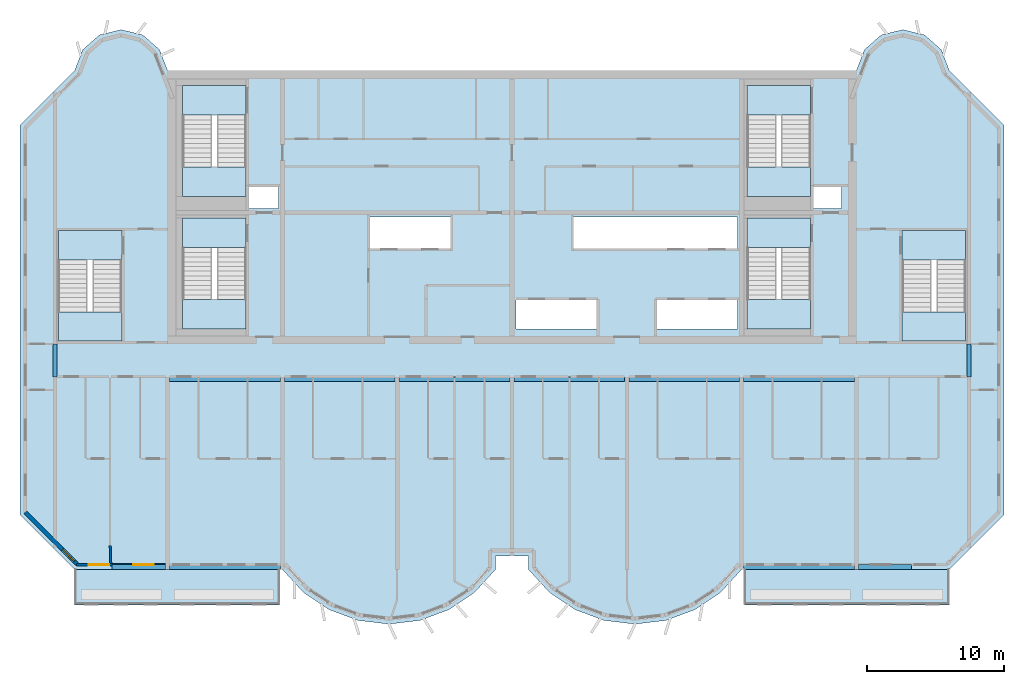
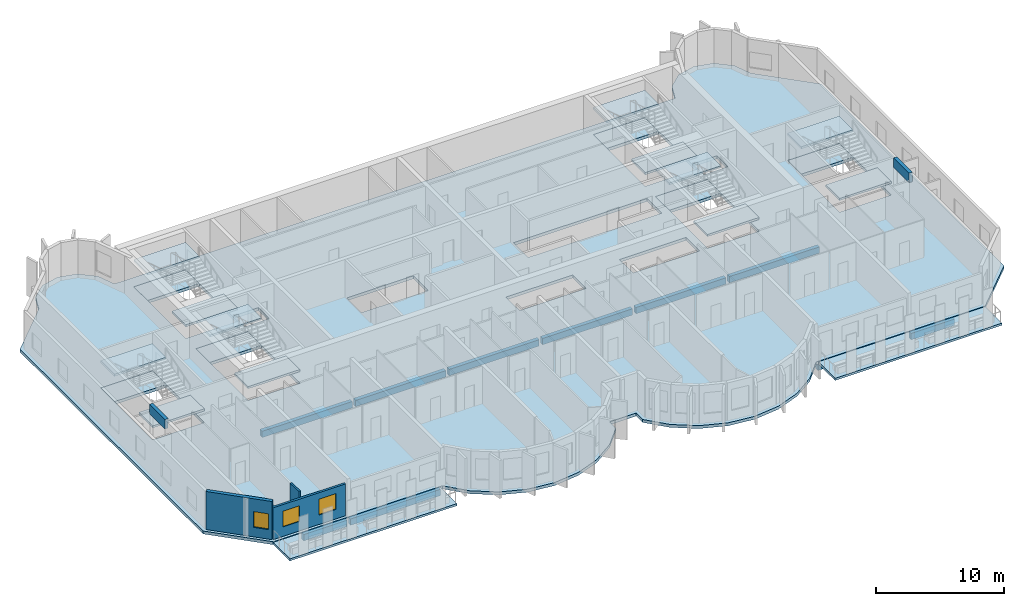
# One storey, part 1 of 11: 21 slabs, 12 beams, 3 walls, 3 windows, 3 openings, 6 elements without a shape of their own.
"""IFC4 building model written with IfcOpenShell, lengths in metres."""

from ifc_helpers import new_model, si_unit, direction, frame, frame_2d, origin, origin_2d, place, context, subcontext, project, spatial, polyline, rectangle, outline, extrude, source, transform, mapped, material, layer, layer_set, material_profile, profile_set, type_object, element, fill, aggregate, save


model = new_model("IFC4")

# Units and contexts
model_context = context("Model", 3, precision=1e-05, world=origin(), true_north=direction((0.0, 1.0)))
body_context = subcontext(model_context, "Body", "Model", "MODEL_VIEW")
ifc_project = project(units=[si_unit("LENGTHUNIT", "METRE"), si_unit("AREAUNIT", "SQUARE_METRE"), si_unit("VOLUMEUNIT", "CUBIC_METRE"), si_unit("PLANEANGLEUNIT", "RADIAN"), si_unit("MASSUNIT", "GRAM", prefix="KILO")], contexts=[model_context])

# Site, building, storey
site_placement = place(None, origin())
site = spatial("IfcSite", under=ifc_project, at=site_placement, CompositionType="ELEMENT")
building_placement = place(site_placement, origin())
building = spatial("IfcBuilding", under=site, at=building_placement, Name="Vanashikhar Sky Hotel", CompositionType="ELEMENT")
storey_placement = place(building_placement, frame((0.0, 0.0, 256.89990234375)))
storey = spatial("IfcBuildingStorey", under=building, at=storey_placement, Name="L62", CompositionType="ELEMENT", Elevation=256.89990234375)

# Beams
ifc_material_1 = material(Name="Concrete M50", Category="concrete")
ifc_material_profile_1 = material_profile(ifc_material_1, rectangle(XDim=0.300048828125, YDim=0.89990234375, at=origin_2d()))
ifc_profile_set_1 = profile_set([ifc_material_profile_1], Name="RC 300x900 beam Concrete M50")
beam_type_1 = type_object("IfcBeamType", Name="RC 300x900 beam Concrete M50", PredefinedType="LINTEL", material=ifc_profile_set_1)
shared_shape_1 = source(origin(), body_context, "Body", "SweptSolid", [
    extrude(rectangle(XDim=0.300048828125, YDim=0.89990234375, at=origin_2d()), origin(), (0.0, 0.0, 1.0), 2.39990234375),
])
for number, where, z_axis, x_axis, name in (
    (1, (16.949951171875, 19.60009765625, 3.170166015625), (0.0, 1.0, 0.0), (-1.0, 0.0, 0.0), "LB-L62-XW03"),
    (2, (83.85009765625, 19.60009765625, 3.170166015625), (0.0, 1.0, 0.0), (-1.0, 0.0, 0.0), "LB-L62-XW11"),
):
    element("IfcBeam", number, at=place(storey_placement, frame(where, z_axis=z_axis, x_axis=x_axis)), inside=storey, type_object=beam_type_1, Name=name, PredefinedType="LINTEL", context=body_context, shape_type="MappedRepresentation", body=[
        mapped(shared_shape_1, transform((0.0, 0.0, 0.0), scale=1.0)),
    ])
ifc_material_profile_2 = material_profile(ifc_material_1, rectangle(XDim=0.35009765625, YDim=0.60009765625, at=origin_2d()))
ifc_profile_set_2 = profile_set([ifc_material_profile_2], Name="RC 350x600 beam Concrete M50")
beam_type_2 = type_object("IfcBeamType", Name="RC 350x600 beam Concrete M50", PredefinedType="SPANDREL", material=ifc_profile_set_2)
shared_shape_2 = source(origin(), body_context, "Body", "SweptSolid", [
    extrude(rectangle(XDim=0.35009765625, YDim=0.60009765625, at=origin_2d()), origin(), (0.0, 0.0, 1.0), 8.099853515625),
])
for number, where, z_axis, x_axis, name in (
    (3, (25.35009765625, 5.675048828125, -0.579833984375), (1.0, 0.0, 0.0), (0.0, 1.0, 0.0), "EB-L62-F01"),
    (4, (67.35009765625, 5.675048828125, -0.579833984375), (1.0, 0.0, 0.0), (0.0, 1.0, 0.0), "EB-L62-F03"),
    (5, (25.35009765625, 19.425048828125, -0.579833984375), (1.0, 0.0, 0.0), (0.0, 1.0, 0.0), "CB-L62-01"),
    (6, (50.550048828125, 19.425048828125, -0.579833984375), (1.0, 0.0, 0.0), (0.0, 1.0, 0.0), "CB-L62-04"),
    (7, (67.35009765625, 19.425048828125, -0.579833984375), (1.0, 0.0, 0.0), (0.0, 1.0, 0.0), "CB-L62-06"),
):
    element("IfcBeam", number, at=place(storey_placement, frame(where, z_axis=z_axis, x_axis=x_axis)), inside=storey, type_object=beam_type_2, Name=name, PredefinedType="SPANDREL", context=body_context, shape_type="MappedRepresentation", body=[
        mapped(shared_shape_2, transform((0.0, 0.0, 0.0), scale=1.0)),
    ])
ifc_material_profile_3 = material_profile(ifc_material_1, rectangle(XDim=0.35009765625, YDim=0.60009765625, at=origin_2d()))
ifc_profile_set_3 = profile_set([ifc_material_profile_3], Name="RC 350x600 cantilever beam Concrete M50")
beam_type_3 = type_object("IfcBeamType", Name="RC 350x600 cantilever beam Concrete M50", PredefinedType="SPANDREL", material=ifc_profile_set_3)
shared_shape_3 = source(origin(), body_context, "Body", "SweptSolid", [
    extrude(rectangle(XDim=0.35009765625, YDim=0.60009765625, at=origin_2d()), origin(), (0.0, 0.0, 1.0), 3.900146484375),
])
beam_1_placement = place(storey_placement, frame((21.14990234375, 5.675048828125, -0.579833984375), z_axis=(1.0, 0.0, 0.0), x_axis=(0.0, 1.0, 0.0)))
element("IfcBeam", 8, at=beam_1_placement, inside=storey, type_object=beam_type_3, Name="EB-L62-F02", PredefinedType="SPANDREL", context=body_context, shape_type="MappedRepresentation", body=[
    mapped(shared_shape_3, transform((0.0, 0.0, 0.0), scale=1.0)),
])
shared_shape_4 = source(origin(), body_context, "Body", "SweptSolid", [
    extrude(rectangle(XDim=0.35009765625, YDim=0.60009765625, at=origin_2d()), origin(), (0.0, 0.0, 1.0), 3.89990234375),
])
beam_2_placement = place(storey_placement, frame((75.75, 5.675048828125, -0.579833984375), z_axis=(1.0, 0.0, 0.0), x_axis=(0.0, 1.0, 0.0)))
element("IfcBeam", 9, at=beam_2_placement, inside=storey, type_object=beam_type_3, Name="EB-L62-F04", PredefinedType="SPANDREL", context=body_context, shape_type="MappedRepresentation", body=[
    mapped(shared_shape_4, transform((0.0, 0.0, 0.0), scale=1.0)),
])
shared_shape_5 = source(origin(), body_context, "Body", "SweptSolid", [
    extrude(rectangle(XDim=0.35009765625, YDim=0.60009765625, at=origin_2d()), origin(), (0.0, 0.0, 1.0), 8.10009765625),
])
for number, where, z_axis, x_axis, name in (
    (10, (33.75, 19.425048828125, -0.579833984375), (1.0, 0.0, 0.0), (0.0, 1.0, 0.0), "CB-L62-02"),
    (11, (42.14990234375, 19.425048828125, -0.579833984375), (1.0, 0.0, 0.0), (0.0, 1.0, 0.0), "CB-L62-03"),
    (12, (58.949951171875, 19.425048828125, -0.579833984375), (1.0, 0.0, 0.0), (0.0, 1.0, 0.0), "CB-L62-05"),
):
    element("IfcBeam", number, at=place(storey_placement, frame(where, z_axis=z_axis, x_axis=x_axis)), inside=storey, type_object=beam_type_2, Name=name, PredefinedType="SPANDREL", context=body_context, shape_type="MappedRepresentation", body=[
        mapped(shared_shape_5, transform((0.0, 0.0, 0.0), scale=1.0)),
    ])

# Slabs
ifc_material_2 = material(Name="Concrete M40", Category="concrete")
ifc_layer_1 = layer(ifc_material_2, 0.280029296875)
ifc_layer_set_1 = layer_set([ifc_layer_1], Name="Floor slab 280 mm")
slab_type_1 = type_object("IfcSlabType", Name="Floor slab 280 mm", PredefinedType="FLOOR", material=ifc_layer_set_1)
shared_shape_6 = source(origin(), body_context, "Body", "SweptSolid", [
    extrude(outline(polyline([(49.199951171875, 5.5), (49.199951171875, 6.5), (51.60009765625, 6.5), (51.60009765625, 5.5), (53.133056640625, 3.825927734375), (55.01708984375, 2.55810546875), (57.14599609375, 1.76806640625), (59.39990234375, 1.5), (61.654052734375, 1.76806640625), (63.782958984375, 2.55810546875), (65.6669921875, 3.825927734375), (67.199951171875, 5.5), (82.39990234375, 5.5), (86.39990234375, 9.5), (86.39990234375, 38.0), (82.39990234375, 42.0), (81.81494140625, 43.527099609375), (80.587890625, 44.610107421875), (79.0, 45.0), (77.412109375, 44.610107421875), (76.18505859375, 43.527099609375), (75.60009765625, 42.0), (25.199951171875, 42.0), (24.614990234375, 43.527099609375), (23.387939453125, 44.610107421875), (21.800048828125, 45.0), (20.2119140625, 44.610107421875), (18.985107421875, 43.527099609375), (18.39990234375, 42.0), (14.39990234375, 38.0), (14.39990234375, 9.5), (18.39990234375, 5.5), (33.60009765625, 5.5), (35.133056640625, 3.825927734375), (37.01708984375, 2.55810546875), (39.14599609375, 1.76806640625), (41.39990234375, 1.5), (43.654052734375, 1.76806640625), (45.782958984375, 2.55810546875), (47.6669921875, 3.825927734375), (49.199951171875, 5.5)]), holes=[polyline([(33.300048828125, 33.60009765625), (31.050048828125, 33.60009765625), (31.050048828125, 31.89990234375), (33.300048828125, 31.89990234375), (33.300048828125, 33.60009765625)]), polyline([(39.89990234375, 31.300048828125), (39.89990234375, 29.0), (45.89990234375, 29.0), (45.89990234375, 31.300048828125), (39.89990234375, 31.300048828125)]), polyline([(50.699951171875, 25.199951171875), (50.699951171875, 23.10009765625), (56.699951171875, 23.10009765625), (56.699951171875, 25.199951171875), (50.699951171875, 25.199951171875)]), polyline([(66.89990234375, 29.0), (66.89990234375, 31.300048828125), (54.89990234375, 31.300048828125), (54.89990234375, 29.0), (66.89990234375, 29.0)]), polyline([(60.89990234375, 25.199951171875), (60.89990234375, 23.10009765625), (66.89990234375, 23.10009765625), (66.89990234375, 25.199951171875), (60.89990234375, 25.199951171875)]), polyline([(74.5, 33.60009765625), (72.35009765625, 33.60009765625), (72.35009765625, 31.89990234375), (74.5, 31.89990234375), (74.5, 33.60009765625)]), polyline([(30.949951171875, 23.10009765625), (30.949951171875, 31.199951171875), (26.300048828125, 31.199951171875), (26.300048828125, 23.10009765625), (30.949951171875, 23.10009765625)]), polyline([(72.25, 23.10009765625), (72.25, 31.199951171875), (67.60009765625, 31.199951171875), (67.60009765625, 23.10009765625), (72.25, 23.10009765625)]), polyline([(30.949951171875, 32.800048828125), (30.949951171875, 40.89990234375), (26.300048828125, 40.89990234375), (26.300048828125, 32.800048828125), (30.949951171875, 32.800048828125)]), polyline([(72.25, 32.800048828125), (72.25, 40.89990234375), (67.60009765625, 40.89990234375), (67.60009765625, 32.800048828125), (72.25, 32.800048828125)]), polyline([(83.60009765625, 22.199951171875), (83.60009765625, 30.300048828125), (78.949951171875, 30.300048828125), (78.949951171875, 22.199951171875), (83.60009765625, 22.199951171875)]), polyline([(21.85009765625, 22.199951171875), (21.85009765625, 30.300048828125), (17.199951171875, 30.300048828125), (17.199951171875, 22.199951171875), (21.85009765625, 22.199951171875)])]), origin(), (0.0, 0.0, 1.0), 0.27978515625),
])
slab_1_placement = place(storey_placement, frame((0.0, 0.0, -0.27978515625)))
element("IfcSlab", 13, at=slab_1_placement, inside=storey, type_object=slab_type_1, Name="Floor slab L62", PredefinedType="FLOOR", context=body_context, shape_type="MappedRepresentation", body=[
    mapped(shared_shape_6, transform((0.0, 0.0, 0.0), scale=1.0)),
])
ifc_layer_2 = layer(ifc_material_2, 0.199951171875)
ifc_layer_set_2 = layer_set([ifc_layer_2], Name="Balcony slab 200 mm")
slab_type_2 = type_object("IfcSlabType", Name="Balcony slab 200 mm", PredefinedType="USERDEFINED", material=ifc_layer_set_2)
shared_shape_7 = source(origin(), body_context, "Body", "SweptSolid", [
    extrude(outline(polyline([(18.39990234375, 2.89990234375), (33.39990234375, 2.89990234375), (33.39990234375, 5.5), (18.39990234375, 5.5), (18.39990234375, 2.89990234375)])), origin(), (0.0, 0.0, 1.0), 0.2001953125),
])
slab_2_placement = place(storey_placement, frame((0.0, 0.0, -0.25)))
element("IfcSlab", 14, at=slab_2_placement, inside=storey, type_object=slab_type_2, Name="Balcony slab L62 1", ObjectType="BALCONY", PredefinedType="USERDEFINED", context=body_context, shape_type="MappedRepresentation", body=[
    mapped(shared_shape_7, transform((0.0, 0.0, 0.0), scale=1.0)),
])
shared_shape_8 = source(origin(), body_context, "Body", "SweptSolid", [
    extrude(outline(polyline([(67.39990234375, 2.89990234375), (82.39990234375, 2.89990234375), (82.39990234375, 5.5), (67.39990234375, 5.5), (67.39990234375, 2.89990234375)])), origin(), (0.0, 0.0, 1.0), 0.2001953125),
])
slab_3_placement = place(storey_placement, frame((0.0, 0.0, -0.25)))
element("IfcSlab", 15, at=slab_3_placement, inside=storey, type_object=slab_type_2, Name="Balcony slab L62 2", ObjectType="BALCONY", PredefinedType="USERDEFINED", context=body_context, shape_type="MappedRepresentation", body=[
    mapped(shared_shape_8, transform((0.0, 0.0, 0.0), scale=1.0)),
])

# Stair, slabs
stair_type = type_object("IfcStairType", Name="Exit stair 2150", PredefinedType="DOUBLE_RETURN_STAIR", material=ifc_material_2)
stair_1_placement = place(storey_placement, origin())
stair_1 = element("IfcStair", 16, at=stair_1_placement, inside=storey, type_object=stair_type, Name="L62 Exit stair 1", PredefinedType="DOUBLE_RETURN_STAIR")
ifc_layer_3 = layer(ifc_material_2, 0.199951171875)
ifc_layer_set_3 = layer_set([ifc_layer_3], Name="Stair landing 200")
slab_type_3 = type_object("IfcSlabType", Name="Stair landing 200", PredefinedType="LANDING", material=ifc_layer_set_3)
shared_shape_9 = source(origin(), body_context, "Body", "SweptSolid", [
    extrude(outline(polyline([(30.949951171875, 29.050048828125), (30.949951171875, 31.199951171875), (26.300048828125, 31.199951171875), (26.300048828125, 29.050048828125), (30.949951171875, 29.050048828125)])), origin(), (0.0, 0.0, 1.0), 0.199951171875),
])
slab_4_placement = place(storey_placement, frame((0.0, 0.0, 2.400146484375)))
slab_4 = element("IfcSlab", 17, at=slab_4_placement, type_object=slab_type_3, Name="ST-C1 landing 2", PredefinedType="LANDING", context=body_context, shape_type="MappedRepresentation", body=[
    mapped(shared_shape_9, transform((0.0, 0.0, 0.0), scale=1.0)),
])
shared_shape_10 = source(origin(), body_context, "Body", "SweptSolid", [
    extrude(outline(polyline([(30.949951171875, 23.10009765625), (30.949951171875, 25.25), (26.300048828125, 25.25), (26.300048828125, 23.10009765625), (30.949951171875, 23.10009765625)])), origin(), (0.0, 0.0, 1.0), 0.199951171875),
])
slab_5_placement = place(storey_placement, frame((0.0, 0.0, 1.10009765625)))
slab_5 = element("IfcSlab", 18, at=slab_5_placement, type_object=slab_type_3, Name="ST-C1 landing 1", PredefinedType="LANDING", context=body_context, shape_type="MappedRepresentation", body=[
    mapped(shared_shape_10, transform((0.0, 0.0, 0.0), scale=1.0)),
])
aggregate(stair_1, [slab_5, slab_4])

# Slab
ifc_layer_4 = layer(ifc_material_2, 0.280029296875)
ifc_layer_set_4 = layer_set([ifc_layer_4], Name="Stair floor landing 280")
slab_type_4 = type_object("IfcSlabType", Name="Stair floor landing 280", PredefinedType="LANDING", material=ifc_layer_set_4)
shared_shape_11 = source(origin(), body_context, "Body", "SweptSolid", [
    extrude(outline(polyline([(30.949951171875, 29.050048828125), (30.949951171875, 31.199951171875), (26.300048828125, 31.199951171875), (26.300048828125, 29.050048828125), (30.949951171875, 29.050048828125)])), origin(), (0.0, 0.0, 1.0), 0.27978515625),
])
slab_6_placement = place(storey_placement, frame((0.0, 0.0, -0.27978515625)))
element("IfcSlab", 19, at=slab_6_placement, inside=storey, type_object=slab_type_4, Name="Exit stair 1 floor landing", PredefinedType="LANDING", context=body_context, shape_type="MappedRepresentation", body=[
    mapped(shared_shape_11, transform((0.0, 0.0, 0.0), scale=1.0)),
])

# Stair, slabs
stair_2_placement = place(storey_placement, origin())
stair_2 = element("IfcStair", 20, at=stair_2_placement, inside=storey, type_object=stair_type, Name="L62 Exit stair 2", PredefinedType="DOUBLE_RETURN_STAIR")
shared_shape_12 = source(origin(), body_context, "Body", "SweptSolid", [
    extrude(outline(polyline([(72.25, 29.050048828125), (72.25, 31.199951171875), (67.60009765625, 31.199951171875), (67.60009765625, 29.050048828125), (72.25, 29.050048828125)])), origin(), (0.0, 0.0, 1.0), 0.199951171875),
])
slab_7_placement = place(storey_placement, frame((0.0, 0.0, 2.400146484375)))
slab_7 = element("IfcSlab", 21, at=slab_7_placement, type_object=slab_type_3, Name="ST-C2 landing 2", PredefinedType="LANDING", context=body_context, shape_type="MappedRepresentation", body=[
    mapped(shared_shape_12, transform((0.0, 0.0, 0.0), scale=1.0)),
])
shared_shape_13 = source(origin(), body_context, "Body", "SweptSolid", [
    extrude(outline(polyline([(72.25, 23.10009765625), (72.25, 25.25), (67.60009765625, 25.25), (67.60009765625, 23.10009765625), (72.25, 23.10009765625)])), origin(), (0.0, 0.0, 1.0), 0.199951171875),
])
slab_8_placement = place(storey_placement, frame((0.0, 0.0, 1.10009765625)))
slab_8 = element("IfcSlab", 22, at=slab_8_placement, type_object=slab_type_3, Name="ST-C2 landing 1", PredefinedType="LANDING", context=body_context, shape_type="MappedRepresentation", body=[
    mapped(shared_shape_13, transform((0.0, 0.0, 0.0), scale=1.0)),
])
aggregate(stair_2, [slab_8, slab_7])

# Slab
shared_shape_14 = source(origin(), body_context, "Body", "SweptSolid", [
    extrude(outline(polyline([(72.25, 29.050048828125), (72.25, 31.199951171875), (67.60009765625, 31.199951171875), (67.60009765625, 29.050048828125), (72.25, 29.050048828125)])), origin(), (0.0, 0.0, 1.0), 0.27978515625),
])
slab_9_placement = place(storey_placement, frame((0.0, 0.0, -0.27978515625)))
element("IfcSlab", 23, at=slab_9_placement, inside=storey, type_object=slab_type_4, Name="Exit stair 2 floor landing", PredefinedType="LANDING", context=body_context, shape_type="MappedRepresentation", body=[
    mapped(shared_shape_14, transform((0.0, 0.0, 0.0), scale=1.0)),
])

# Stair, slabs
stair_3_placement = place(storey_placement, origin())
stair_3 = element("IfcStair", 24, at=stair_3_placement, inside=storey, type_object=stair_type, Name="L62 Exit stair 3", PredefinedType="DOUBLE_RETURN_STAIR")
shared_shape_15 = source(origin(), body_context, "Body", "SweptSolid", [
    extrude(outline(polyline([(21.85009765625, 28.14990234375), (21.85009765625, 30.300048828125), (17.199951171875, 30.300048828125), (17.199951171875, 28.14990234375), (21.85009765625, 28.14990234375)])), origin(), (0.0, 0.0, 1.0), 0.199951171875),
])
slab_10_placement = place(storey_placement, frame((0.0, 0.0, 2.400146484375)))
slab_10 = element("IfcSlab", 25, at=slab_10_placement, type_object=slab_type_3, Name="ST-W landing 2", PredefinedType="LANDING", context=body_context, shape_type="MappedRepresentation", body=[
    mapped(shared_shape_15, transform((0.0, 0.0, 0.0), scale=1.0)),
])
shared_shape_16 = source(origin(), body_context, "Body", "SweptSolid", [
    extrude(outline(polyline([(21.85009765625, 22.199951171875), (21.85009765625, 24.35009765625), (17.199951171875, 24.35009765625), (17.199951171875, 22.199951171875), (21.85009765625, 22.199951171875)])), origin(), (0.0, 0.0, 1.0), 0.199951171875),
])
slab_11_placement = place(storey_placement, frame((0.0, 0.0, 1.10009765625)))
slab_11 = element("IfcSlab", 26, at=slab_11_placement, type_object=slab_type_3, Name="ST-W landing 1", PredefinedType="LANDING", context=body_context, shape_type="MappedRepresentation", body=[
    mapped(shared_shape_16, transform((0.0, 0.0, 0.0), scale=1.0)),
])
aggregate(stair_3, [slab_11, slab_10])

# Slab
shared_shape_17 = source(origin(), body_context, "Body", "SweptSolid", [
    extrude(outline(polyline([(21.85009765625, 28.14990234375), (21.85009765625, 30.300048828125), (17.199951171875, 30.300048828125), (17.199951171875, 28.14990234375), (21.85009765625, 28.14990234375)])), origin(), (0.0, 0.0, 1.0), 0.27978515625),
])
slab_12_placement = place(storey_placement, frame((0.0, 0.0, -0.27978515625)))
element("IfcSlab", 27, at=slab_12_placement, inside=storey, type_object=slab_type_4, Name="Exit stair 3 floor landing", PredefinedType="LANDING", context=body_context, shape_type="MappedRepresentation", body=[
    mapped(shared_shape_17, transform((0.0, 0.0, 0.0), scale=1.0)),
])

# Stair, slabs
stair_4_placement = place(storey_placement, origin())
stair_4 = element("IfcStair", 28, at=stair_4_placement, inside=storey, type_object=stair_type, Name="L62 Exit stair 4", PredefinedType="DOUBLE_RETURN_STAIR")
shared_shape_18 = source(origin(), body_context, "Body", "SweptSolid", [
    extrude(outline(polyline([(83.60009765625, 28.14990234375), (83.60009765625, 30.300048828125), (78.949951171875, 30.300048828125), (78.949951171875, 28.14990234375), (83.60009765625, 28.14990234375)])), origin(), (0.0, 0.0, 1.0), 0.199951171875),
])
slab_13_placement = place(storey_placement, frame((0.0, 0.0, 2.400146484375)))
slab_13 = element("IfcSlab", 29, at=slab_13_placement, type_object=slab_type_3, Name="ST-E landing 2", PredefinedType="LANDING", context=body_context, shape_type="MappedRepresentation", body=[
    mapped(shared_shape_18, transform((0.0, 0.0, 0.0), scale=1.0)),
])
shared_shape_19 = source(origin(), body_context, "Body", "SweptSolid", [
    extrude(outline(polyline([(83.60009765625, 22.199951171875), (83.60009765625, 24.35009765625), (78.949951171875, 24.35009765625), (78.949951171875, 22.199951171875), (83.60009765625, 22.199951171875)])), origin(), (0.0, 0.0, 1.0), 0.199951171875),
])
slab_14_placement = place(storey_placement, frame((0.0, 0.0, 1.10009765625)))
slab_14 = element("IfcSlab", 30, at=slab_14_placement, type_object=slab_type_3, Name="ST-E landing 1", PredefinedType="LANDING", context=body_context, shape_type="MappedRepresentation", body=[
    mapped(shared_shape_19, transform((0.0, 0.0, 0.0), scale=1.0)),
])
aggregate(stair_4, [slab_14, slab_13])

# Slab
shared_shape_20 = source(origin(), body_context, "Body", "SweptSolid", [
    extrude(outline(polyline([(83.60009765625, 28.14990234375), (83.60009765625, 30.300048828125), (78.949951171875, 30.300048828125), (78.949951171875, 28.14990234375), (83.60009765625, 28.14990234375)])), origin(), (0.0, 0.0, 1.0), 0.27978515625),
])
slab_15_placement = place(storey_placement, frame((0.0, 0.0, -0.27978515625)))
element("IfcSlab", 31, at=slab_15_placement, inside=storey, type_object=slab_type_4, Name="Exit stair 4 floor landing", PredefinedType="LANDING", context=body_context, shape_type="MappedRepresentation", body=[
    mapped(shared_shape_20, transform((0.0, 0.0, 0.0), scale=1.0)),
])

# Stair, slabs
stair_5_placement = place(storey_placement, origin())
stair_5 = element("IfcStair", 32, at=stair_5_placement, inside=storey, type_object=stair_type, Name="L62 Exit stair 5", PredefinedType="DOUBLE_RETURN_STAIR")
shared_shape_21 = source(origin(), body_context, "Body", "SweptSolid", [
    extrude(outline(polyline([(30.949951171875, 38.75), (30.949951171875, 40.89990234375), (26.300048828125, 40.89990234375), (26.300048828125, 38.75), (30.949951171875, 38.75)])), origin(), (0.0, 0.0, 1.0), 0.199951171875),
])
slab_16_placement = place(storey_placement, frame((0.0, 0.0, 2.400146484375)))
slab_16 = element("IfcSlab", 33, at=slab_16_placement, type_object=slab_type_3, Name="ST-C3 landing 2", PredefinedType="LANDING", context=body_context, shape_type="MappedRepresentation", body=[
    mapped(shared_shape_21, transform((0.0, 0.0, 0.0), scale=1.0)),
])
shared_shape_22 = source(origin(), body_context, "Body", "SweptSolid", [
    extrude(outline(polyline([(30.949951171875, 32.800048828125), (30.949951171875, 34.949951171875), (26.300048828125, 34.949951171875), (26.300048828125, 32.800048828125), (30.949951171875, 32.800048828125)])), origin(), (0.0, 0.0, 1.0), 0.199951171875),
])
slab_17_placement = place(storey_placement, frame((0.0, 0.0, 1.10009765625)))
slab_17 = element("IfcSlab", 34, at=slab_17_placement, type_object=slab_type_3, Name="ST-C3 landing 1", PredefinedType="LANDING", context=body_context, shape_type="MappedRepresentation", body=[
    mapped(shared_shape_22, transform((0.0, 0.0, 0.0), scale=1.0)),
])
aggregate(stair_5, [slab_17, slab_16])

# Slab
shared_shape_23 = source(origin(), body_context, "Body", "SweptSolid", [
    extrude(outline(polyline([(30.949951171875, 38.75), (30.949951171875, 40.89990234375), (26.300048828125, 40.89990234375), (26.300048828125, 38.75), (30.949951171875, 38.75)])), origin(), (0.0, 0.0, 1.0), 0.27978515625),
])
slab_18_placement = place(storey_placement, frame((0.0, 0.0, -0.27978515625)))
element("IfcSlab", 35, at=slab_18_placement, inside=storey, type_object=slab_type_4, Name="Exit stair 5 floor landing", PredefinedType="LANDING", context=body_context, shape_type="MappedRepresentation", body=[
    mapped(shared_shape_23, transform((0.0, 0.0, 0.0), scale=1.0)),
])

# Stair, slabs
stair_6_placement = place(storey_placement, origin())
stair_6 = element("IfcStair", 36, at=stair_6_placement, inside=storey, type_object=stair_type, Name="L62 Exit stair 6", PredefinedType="DOUBLE_RETURN_STAIR")
shared_shape_24 = source(origin(), body_context, "Body", "SweptSolid", [
    extrude(outline(polyline([(72.25, 38.75), (72.25, 40.89990234375), (67.60009765625, 40.89990234375), (67.60009765625, 38.75), (72.25, 38.75)])), origin(), (0.0, 0.0, 1.0), 0.199951171875),
])
slab_19_placement = place(storey_placement, frame((0.0, 0.0, 2.400146484375)))
slab_19 = element("IfcSlab", 37, at=slab_19_placement, type_object=slab_type_3, Name="ST-C4 landing 2", PredefinedType="LANDING", context=body_context, shape_type="MappedRepresentation", body=[
    mapped(shared_shape_24, transform((0.0, 0.0, 0.0), scale=1.0)),
])
shared_shape_25 = source(origin(), body_context, "Body", "SweptSolid", [
    extrude(outline(polyline([(72.25, 32.800048828125), (72.25, 34.949951171875), (67.60009765625, 34.949951171875), (67.60009765625, 32.800048828125), (72.25, 32.800048828125)])), origin(), (0.0, 0.0, 1.0), 0.199951171875),
])
slab_20_placement = place(storey_placement, frame((0.0, 0.0, 1.10009765625)))
slab_20 = element("IfcSlab", 38, at=slab_20_placement, type_object=slab_type_3, Name="ST-C4 landing 1", PredefinedType="LANDING", context=body_context, shape_type="MappedRepresentation", body=[
    mapped(shared_shape_25, transform((0.0, 0.0, 0.0), scale=1.0)),
])
aggregate(stair_6, [slab_20, slab_19])

# Slab
shared_shape_26 = source(origin(), body_context, "Body", "SweptSolid", [
    extrude(outline(polyline([(72.25, 38.75), (72.25, 40.89990234375), (67.60009765625, 40.89990234375), (67.60009765625, 38.75), (72.25, 38.75)])), origin(), (0.0, 0.0, 1.0), 0.27978515625),
])
slab_21_placement = place(storey_placement, frame((0.0, 0.0, -0.27978515625)))
element("IfcSlab", 39, at=slab_21_placement, inside=storey, type_object=slab_type_4, Name="Exit stair 6 floor landing", PredefinedType="LANDING", context=body_context, shape_type="MappedRepresentation", body=[
    mapped(shared_shape_26, transform((0.0, 0.0, 0.0), scale=1.0)),
])

# Wall, openings, windows
ifc_layer_5 = layer(ifc_material_1, 0.199951171875)
ifc_layer_set_5 = layer_set([ifc_layer_5], Name="Front window wall 200")
wall_type_1 = type_object("IfcWallType", Name="Front window wall 200", PredefinedType="SOLIDWALL", material=ifc_layer_set_5)
shared_shape_27 = source(origin(), body_context, "Body", "SweptSolid", [
    extrude(rectangle(XDim=6.505126953125, YDim=0.199951171875, at=frame_2d((3.25244140625, 0.0))), origin(), (0.0, 0.0, 1.0), 3.02001953125),
])
wall_1_placement = place(storey_placement, frame((18.544921875, 5.85009765625, 0.0), z_axis=(0.0, 0.0, 1.0), x_axis=(1.0, 0.0, 0.0)))
wall_1 = element("IfcWall", 40, at=wall_1_placement, inside=storey, type_object=wall_type_1, Name="Front window wall", PredefinedType="SOLIDWALL", context=body_context, shape_type="MappedRepresentation", body=[
    mapped(shared_shape_27, transform((0.0, 0.0, 0.0), scale=1.0)),
])
shared_shape_28 = source(origin(), body_context, "Body", "SweptSolid", [
    extrude(rectangle(XDim=1.5, YDim=1.5, at=frame_2d((0.75, 0.75))), frame((0.0, 0.10986328125, 0.0), z_axis=(0.0, -1.0, 0.0), x_axis=(1.0, 0.0, 0.0)), (0.0, 0.0, 1.0), 0.219970703125),
])
opening_1_placement = place(wall_1_placement, frame((0.876220703125, 0.0, 0.89990234375)))
opening_1 = element("IfcOpeningElement", 41, at=opening_1_placement, cuts=wall_1, Name="Opening WN-1", PredefinedType="OPENING", context=body_context, shape_type="MappedRepresentation", body=[
    mapped(shared_shape_28, transform((0.0, 0.0, 0.0), scale=1.0)),
])
opening_2_placement = place(wall_1_placement, frame((4.128662109375, 0.0, 0.89990234375)))
opening_2 = element("IfcOpeningElement", 42, at=opening_2_placement, cuts=wall_1, Name="Opening WN-1", PredefinedType="OPENING", context=body_context, shape_type="MappedRepresentation", body=[
    mapped(shared_shape_28, transform((0.0, 0.0, 0.0), scale=1.0)),
])
ifc_material_3 = material(Name="Glass", Category="glass")
window_type_1 = type_object("IfcWindowType", Name="Window 1500 x 1500", PartitioningType="SINGLE_PANEL", PredefinedType="WINDOW", material=ifc_material_3)
shared_shape_29 = source(origin(), body_context, "Body", "SweptSolid", [
    extrude(rectangle(XDim=1.5, YDim=1.5, at=frame_2d((0.75, 0.75))), frame((0.0, 0.030029296875, 0.0), z_axis=(0.0, -1.0, 0.0), x_axis=(1.0, 0.0, 0.0)), (0.0, 0.0, 1.0), 0.06005859375),
])
window_1_placement = place(opening_1_placement, origin())
window_1 = element("IfcWindow", 43, at=window_1_placement, inside=storey, type_object=window_type_1, Name="Window WN-1", OverallHeight=1.5, OverallWidth=1.5, PartitioningType="SINGLE_PANEL", PredefinedType="WINDOW", context=body_context, shape_type="MappedRepresentation", body=[
    mapped(shared_shape_29, transform((0.0, 0.0, 0.0), scale=1.0)),
])
fill(opening_1, window_1)
window_2_placement = place(opening_2_placement, origin())
window_2 = element("IfcWindow", 44, at=window_2_placement, inside=storey, type_object=window_type_1, Name="Window WN-1", OverallHeight=1.5, OverallWidth=1.5, PartitioningType="SINGLE_PANEL", PredefinedType="WINDOW", context=body_context, shape_type="MappedRepresentation", body=[
    mapped(shared_shape_29, transform((0.0, 0.0, 0.0), scale=1.0)),
])
fill(opening_2, window_2)

# Wall, opening, window
ifc_layer_6 = layer(ifc_material_1, 0.300048828125)
ifc_layer_set_6 = layer_set([ifc_layer_6], Name="Lobe wall 300")
wall_type_2 = type_object("IfcWallType", Name="Lobe wall 300", PredefinedType="SOLIDWALL", material=ifc_layer_set_6)
shared_shape_30 = source(origin(), body_context, "Body", "SweptSolid", [
    extrude(rectangle(XDim=5.32568359375, YDim=0.300048828125, at=frame_2d((2.662841796875, 0.0))), origin(), (0.0, 0.0, 1.0), 3.6201171875),
])
wall_2_placement = place(storey_placement, frame((14.800048828125, 9.665771484375, 0.0), z_axis=(0.0, 0.0, 1.0), x_axis=(0.707083859269, -0.707129702361, 0.0)))
wall_2 = element("IfcWall", 45, at=wall_2_placement, inside=storey, type_object=wall_type_2, Name="Corner wall", PredefinedType="SOLIDWALL", context=body_context, shape_type="MappedRepresentation", body=[
    mapped(shared_shape_30, transform((0.0, 0.0, 0.0), scale=1.0)),
])
shared_shape_31 = source(origin(), body_context, "Body", "SweptSolid", [
    extrude(rectangle(XDim=1.199951171875, YDim=1.5, at=frame_2d((0.60009765625, 0.75))), frame((0.0, 0.16015625, 0.0), z_axis=(0.0, -1.0, 0.0), x_axis=(1.0, 0.0, 0.0)), (0.0, 0.0, 1.0), 0.320068359375),
])
opening_3_placement = place(wall_2_placement, frame((3.8330078125, 0.0, 0.89990234375)))
opening_3 = element("IfcOpeningElement", 46, at=opening_3_placement, cuts=wall_2, Name="Opening WN-3", PredefinedType="OPENING", context=body_context, shape_type="MappedRepresentation", body=[
    mapped(shared_shape_31, transform((0.0, 0.0, 0.0), scale=1.0)),
])
window_type_2 = type_object("IfcWindowType", Name="Corridor end window 1200 x 1500", PartitioningType="SINGLE_PANEL", PredefinedType="WINDOW", material=ifc_material_3)
shared_shape_32 = source(origin(), body_context, "Body", "SweptSolid", [
    extrude(rectangle(XDim=1.199951171875, YDim=1.5, at=frame_2d((0.60009765625, 0.75))), frame((0.0, 0.030029296875, 0.0), z_axis=(0.0, -1.0, 0.0), x_axis=(1.0, 0.0, 0.0)), (0.0, 0.0, 1.0), 0.06005859375),
])
window_3_placement = place(opening_3_placement, origin())
window_3 = element("IfcWindow", 47, at=window_3_placement, inside=storey, type_object=window_type_2, Name="Window WN-3", OverallHeight=1.5, OverallWidth=1.199951171875, PartitioningType="SINGLE_PANEL", PredefinedType="WINDOW", context=body_context, shape_type="MappedRepresentation", body=[
    mapped(shared_shape_32, transform((0.0, 0.0, 0.0), scale=1.0)),
])
fill(opening_3, window_3)

# Wall
ifc_material_4 = material(Name="Gypsum plasterboard partition")
ifc_layer_7 = layer(ifc_material_4, 0.14990234375)
ifc_layer_set_7 = layer_set([ifc_layer_7], Name="Corridor and demising partition 150")
wall_type_3 = type_object("IfcWallType", Name="Corridor and demising partition 150", PredefinedType="PARTITIONING", material=ifc_layer_set_7)
shared_shape_33 = source(origin(), body_context, "Body", "SweptSolid", [
    extrude(rectangle(XDim=1.30078125, YDim=0.14990234375, at=frame_2d((0.650390625, 0.0))), origin(), (0.0, 0.0, 1.0), 3.6201171875),
])
wall_3_placement = place(storey_placement, frame((21.041015625, 5.949951171875, 0.0), z_axis=(0.0, 0.0, 1.0), x_axis=(-0.031533606063, 0.999502692187, 0.0)))
element("IfcWall", 48, at=wall_3_placement, inside=storey, type_object=wall_type_3, Name="W-L62-PW007B0", PredefinedType="PARTITIONING", context=body_context, shape_type="MappedRepresentation", body=[
    mapped(shared_shape_33, transform((0.0, 0.0, 0.0), scale=1.0)),
])

save(model, "model.ifc")
